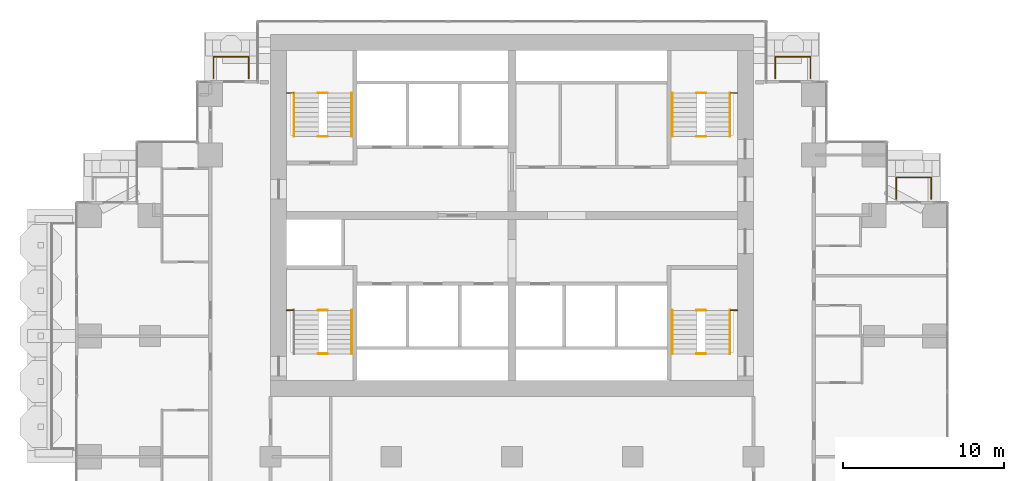
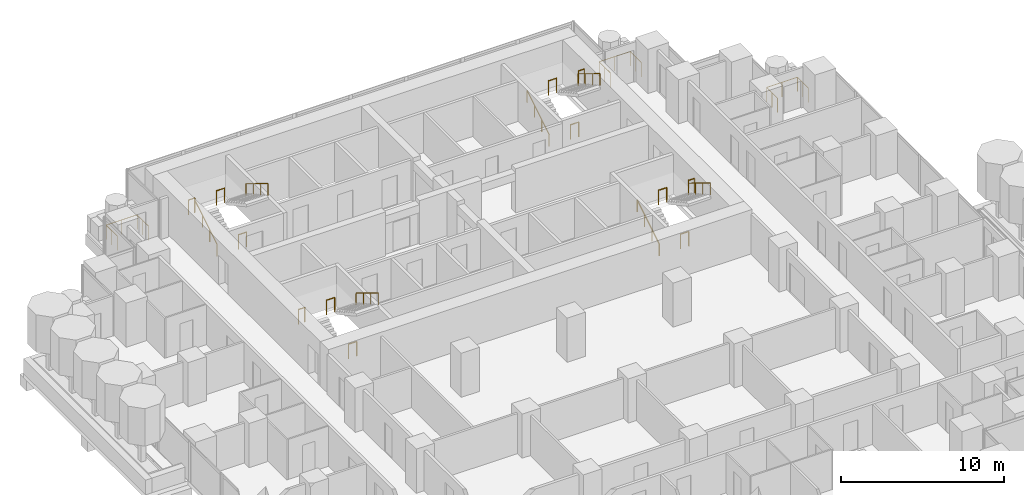
# One storey, part 17 of 18: 22 railings.
"""IFC4 building model written with IfcOpenShell, lengths in metres."""

from ifc_helpers import new_model, si_unit, direction, frame, origin, origin_2d, place, context, subcontext, project, spatial, circle, extrude, material, type_object, element, save


model = new_model("IFC4")

# Units and contexts
model_context = context("Model", 3, precision=1e-05, world=origin(), true_north=direction((0.0, 1.0)))
body_context = subcontext(model_context, "Body", "Model", "MODEL_VIEW")
ifc_project = project(units=[si_unit("LENGTHUNIT", "METRE"), si_unit("AREAUNIT", "SQUARE_METRE"), si_unit("VOLUMEUNIT", "CUBIC_METRE"), si_unit("PLANEANGLEUNIT", "RADIAN"), si_unit("MASSUNIT", "GRAM", prefix="KILO")], contexts=[model_context])

# Site, building, storey
site_placement = place(None, origin())
site = spatial("IfcSite", under=ifc_project, at=site_placement, CompositionType="ELEMENT")
building_placement = place(site_placement, origin())
building = spatial("IfcBuilding", under=site, at=building_placement, Name="Pilkhan Gate Tower", CompositionType="ELEMENT")
storey_placement = place(building_placement, frame((0.0, 0.0, 56.0)))
storey = spatial("IfcBuildingStorey", under=building, at=storey_placement, Name="L11", CompositionType="ELEMENT", Elevation=56.0)

# Railings
ifc_material_1 = material(Name="Pale anodised aluminium posts, laminated glass infill", Category="aluminium")
railing_type_1 = type_object("IfcRailingType", Name="Balcony guard G1", PredefinedType="BALUSTRADE", material=ifc_material_1)
for number, where, name in (
    (1, (56.449951171875, 91.0, 0.0), "Balcony guard L11 N"),
    (2, (91.35009765625, 91.0, 0.0), "Balcony guard L11 N"),
):
    element("IfcRailing", number, at=place(storey_placement, frame(where)), inside=storey, type_object=railing_type_1, Name=name, PredefinedType="BALUSTRADE", context=body_context, shape_type="SweptSolid", body=[
        extrude(circle(Radius=0.02392578125, at=origin_2d()), frame((0.0, 0.0, 1.076171875), z_axis=(0.0, 1.0, 0.0), x_axis=(-1.0, 0.0, 0.0)), (0.0, 0.0, 1.0), 1.35009765625),
        extrude(circle(Radius=0.02392578125, at=origin_2d()), frame((0.0, 1.35009765625, 1.076171875), z_axis=(1.0, 0.0, 0.0), x_axis=(0.0, 1.0, 0.0)), (0.0, 0.0, 1.0), 2.199951171875),
        extrude(circle(Radius=0.02392578125, at=origin_2d()), frame((2.199951171875, 1.35009765625, 1.076171875), z_axis=(0.0, -1.0, 0.0), x_axis=(1.0, 0.0, 0.0)), (0.0, 0.0, 1.0), 1.35009765625),
        extrude(circle(Radius=0.02099609375, at=origin_2d()), origin(), (0.0, 0.0, 1.0), 1.052001953125),
        extrude(circle(Radius=0.02099609375, at=origin_2d()), frame((0.0, 0.675048828125, 0.0)), (0.0, 0.0, 1.0), 1.052001953125),
        extrude(circle(Radius=0.02099609375, at=origin_2d()), frame((0.0, 1.35009765625, 0.0)), (0.0, 0.0, 1.0), 1.052001953125),
        extrude(circle(Radius=0.02099609375, at=origin_2d()), frame((1.10009765625, 1.35009765625, 0.0)), (0.0, 0.0, 1.0), 1.052001953125),
        extrude(circle(Radius=0.02099609375, at=origin_2d()), frame((2.199951171875, 1.35009765625, 0.0)), (0.0, 0.0, 1.0), 1.052001953125),
        extrude(circle(Radius=0.02099609375, at=origin_2d()), frame((2.199951171875, 0.675048828125, 0.0)), (0.0, 0.0, 1.0), 1.052001953125),
        extrude(circle(Radius=0.02099609375, at=origin_2d()), frame((2.199951171875, 0.0, 0.0)), (0.0, 0.0, 1.0), 1.052001953125),
    ])
railing_1_placement = place(storey_placement, frame((98.8701171875, 83.52001953125, 0.0)))
element("IfcRailing", 3, at=railing_1_placement, inside=storey, type_object=railing_type_1, Name="Balcony guard L11 N", PredefinedType="BALUSTRADE", context=body_context, shape_type="SweptSolid", body=[
    extrude(circle(Radius=0.02392578125, at=origin_2d()), frame((0.0, 0.0, 1.076171875), z_axis=(0.0, 1.0, 0.0), x_axis=(-1.0, 0.0, 0.0)), (0.0, 0.0, 1.0), 1.330078125),
    extrude(circle(Radius=0.02392578125, at=origin_2d()), frame((0.0, 1.330078125, 1.076171875), z_axis=(1.0, 0.0, 0.0), x_axis=(0.0, 1.0, 0.0)), (0.0, 0.0, 1.0), 2.179931640625),
    extrude(circle(Radius=0.02392578125, at=origin_2d()), frame((2.179931640625, 1.330078125, 1.076171875), z_axis=(0.0, -1.0, 0.0), x_axis=(1.0, 0.0, 0.0)), (0.0, 0.0, 1.0), 1.330078125),
    extrude(circle(Radius=0.02099609375, at=origin_2d()), origin(), (0.0, 0.0, 1.0), 1.052001953125),
    extrude(circle(Radius=0.02099609375, at=origin_2d()), frame((0.0, 0.6650390625, 0.0)), (0.0, 0.0, 1.0), 1.052001953125),
    extrude(circle(Radius=0.02099609375, at=origin_2d()), frame((0.0, 1.330078125, 0.0)), (0.0, 0.0, 1.0), 1.052001953125),
    extrude(circle(Radius=0.02099609375, at=origin_2d()), frame((1.08984375, 1.330078125, 0.0)), (0.0, 0.0, 1.0), 1.052001953125),
    extrude(circle(Radius=0.02099609375, at=origin_2d()), frame((2.179931640625, 1.330078125, 0.0)), (0.0, 0.0, 1.0), 1.052001953125),
    extrude(circle(Radius=0.02099609375, at=origin_2d()), frame((2.179931640625, 0.6650390625, 0.0)), (0.0, 0.0, 1.0), 1.052001953125),
    extrude(circle(Radius=0.02099609375, at=origin_2d()), frame((2.179931640625, 0.0, 0.0)), (0.0, 0.0, 1.0), 1.052001953125),
])
ifc_material_2 = material(Name="Black powder-coated steel tube", Category="steel")
railing_type_2 = type_object("IfcRailingType", Name="Stair handrail HR1", PredefinedType="HANDRAIL", material=ifc_material_2)
railing_2_placement = place(storey_placement, frame((84.949951171875, 73.89990234375, 0.0)))
element("IfcRailing", 4, at=railing_2_placement, inside=storey, type_object=railing_type_2, Name="Stair ST1 handrail L11", PredefinedType="HANDRAIL", context=body_context, shape_type="SweptSolid", body=[
    extrude(circle(Radius=0.02392578125, at=origin_2d()), frame((0.0, 0.0, 0.8759765625), z_axis=(0.0, 0.853312346642, 0.521400075823), x_axis=(-1.0, 0.0, 0.0)), (0.0, 0.0, 1.0), 3.164306640625),
    extrude(circle(Radius=0.02099609375, at=origin_2d()), origin(), (0.0, 0.0, 1.0), 0.851806640625),
    extrude(circle(Radius=0.02099609375, at=origin_2d()), frame((0.0, 0.900146484375, 0.550048828125)), (0.0, 0.0, 1.0), 0.851806640625),
    extrude(circle(Radius=0.02099609375, at=origin_2d()), frame((0.0, 1.800048828125, 1.099853515625)), (0.0, 0.0, 1.0), 0.851806640625),
    extrude(circle(Radius=0.02099609375, at=origin_2d()), frame((0.0, 2.7001953125, 1.64990234375)), (0.0, 0.0, 1.0), 0.851806640625),
])
for number, where, name in (
    (5, (88.550048828125, 76.60009765625, 1.64990234375), "Stair ST1 handrail L11"),
    (6, (65.050048828125, 76.60009765625, 1.64990234375), "Stair ST2 handrail L11"),
):
    element("IfcRailing", number, at=place(storey_placement, frame(where)), inside=storey, type_object=railing_type_2, Name=name, PredefinedType="HANDRAIL", context=body_context, shape_type="SweptSolid", body=[
        extrude(circle(Radius=0.02392578125, at=origin_2d()), frame((0.0, 0.0, 0.8759765625), z_axis=(0.0, -0.853278019476, 0.521456250781), x_axis=(1.0, 0.0, 0.0)), (0.0, 0.0, 1.0), 3.16455078125),
        extrude(circle(Radius=0.02099609375, at=origin_2d()), origin(), (0.0, 0.0, 1.0), 0.851806640625),
        extrude(circle(Radius=0.02099609375, at=origin_2d()), frame((0.0, -0.900146484375, 0.550048828125)), (0.0, 0.0, 1.0), 0.851806640625),
        extrude(circle(Radius=0.02099609375, at=origin_2d()), frame((0.0, -1.800048828125, 1.10009765625)), (0.0, 0.0, 1.0), 0.851806640625),
        extrude(circle(Radius=0.02099609375, at=origin_2d()), frame((0.0, -2.7001953125, 1.650146484375)), (0.0, 0.0, 1.0), 0.851806640625),
    ])
railing_3_placement = place(storey_placement, frame((61.449951171875, 87.39990234375, 0.0)))
element("IfcRailing", 7, at=railing_3_placement, inside=storey, type_object=railing_type_2, Name="Stair ST3 handrail L11", PredefinedType="HANDRAIL", context=body_context, shape_type="SweptSolid", body=[
    extrude(circle(Radius=0.02392578125, at=origin_2d()), frame((0.0, 0.0, 0.8759765625), z_axis=(0.0, 0.853312346642, 0.521400075823), x_axis=(-1.0, 0.0, 0.0)), (0.0, 0.0, 1.0), 3.164306640625),
    extrude(circle(Radius=0.02099609375, at=origin_2d()), origin(), (0.0, 0.0, 1.0), 0.851806640625),
    extrude(circle(Radius=0.02099609375, at=origin_2d()), frame((0.0, 0.900146484375, 0.550048828125)), (0.0, 0.0, 1.0), 0.851806640625),
    extrude(circle(Radius=0.02099609375, at=origin_2d()), frame((0.0, 1.800048828125, 1.099853515625)), (0.0, 0.0, 1.0), 0.851806640625),
    extrude(circle(Radius=0.02099609375, at=origin_2d()), frame((0.0, 2.7001953125, 1.64990234375)), (0.0, 0.0, 1.0), 0.851806640625),
])
railing_4_placement = place(storey_placement, frame((65.050048828125, 90.10009765625, 1.64990234375)))
element("IfcRailing", 8, at=railing_4_placement, inside=storey, type_object=railing_type_2, Name="Stair ST3 handrail L11", PredefinedType="HANDRAIL", context=body_context, shape_type="SweptSolid", body=[
    extrude(circle(Radius=0.02392578125, at=origin_2d()), frame((0.0, 0.0, 0.8759765625), z_axis=(0.0, -0.853278019476, 0.521456250781), x_axis=(1.0, 0.0, 0.0)), (0.0, 0.0, 1.0), 3.16455078125),
    extrude(circle(Radius=0.02099609375, at=origin_2d()), origin(), (0.0, 0.0, 1.0), 0.851806640625),
    extrude(circle(Radius=0.02099609375, at=origin_2d()), frame((0.0, -0.900146484375, 0.550048828125)), (0.0, 0.0, 1.0), 0.851806640625),
    extrude(circle(Radius=0.02099609375, at=origin_2d()), frame((0.0, -1.800048828125, 1.10009765625)), (0.0, 0.0, 1.0), 0.851806640625),
    extrude(circle(Radius=0.02099609375, at=origin_2d()), frame((0.0, -2.7001953125, 1.650146484375)), (0.0, 0.0, 1.0), 0.851806640625),
])
railing_5_placement = place(storey_placement, frame((84.949951171875, 87.39990234375, 0.0)))
element("IfcRailing", 9, at=railing_5_placement, inside=storey, type_object=railing_type_2, Name="Stair ST4 handrail L11", PredefinedType="HANDRAIL", context=body_context, shape_type="SweptSolid", body=[
    extrude(circle(Radius=0.02392578125, at=origin_2d()), frame((0.0, 0.0, 0.8759765625), z_axis=(0.0, 0.853312346642, 0.521400075823), x_axis=(-1.0, 0.0, 0.0)), (0.0, 0.0, 1.0), 3.164306640625),
    extrude(circle(Radius=0.02099609375, at=origin_2d()), origin(), (0.0, 0.0, 1.0), 0.851806640625),
    extrude(circle(Radius=0.02099609375, at=origin_2d()), frame((0.0, 0.900146484375, 0.550048828125)), (0.0, 0.0, 1.0), 0.851806640625),
    extrude(circle(Radius=0.02099609375, at=origin_2d()), frame((0.0, 1.800048828125, 1.099853515625)), (0.0, 0.0, 1.0), 0.851806640625),
    extrude(circle(Radius=0.02099609375, at=origin_2d()), frame((0.0, 2.7001953125, 1.64990234375)), (0.0, 0.0, 1.0), 0.851806640625),
])
railing_6_placement = place(storey_placement, frame((88.550048828125, 90.10009765625, 1.64990234375)))
element("IfcRailing", 10, at=railing_6_placement, inside=storey, type_object=railing_type_2, Name="Stair ST4 handrail L11", PredefinedType="HANDRAIL", context=body_context, shape_type="SweptSolid", body=[
    extrude(circle(Radius=0.02392578125, at=origin_2d()), frame((0.0, 0.0, 0.8759765625), z_axis=(0.0, -0.853278019476, 0.521456250781), x_axis=(1.0, 0.0, 0.0)), (0.0, 0.0, 1.0), 3.16455078125),
    extrude(circle(Radius=0.02099609375, at=origin_2d()), origin(), (0.0, 0.0, 1.0), 0.851806640625),
    extrude(circle(Radius=0.02099609375, at=origin_2d()), frame((0.0, -0.900146484375, 0.550048828125)), (0.0, 0.0, 1.0), 0.851806640625),
    extrude(circle(Radius=0.02099609375, at=origin_2d()), frame((0.0, -1.800048828125, 1.10009765625)), (0.0, 0.0, 1.0), 0.851806640625),
    extrude(circle(Radius=0.02099609375, at=origin_2d()), frame((0.0, -2.7001953125, 1.650146484375)), (0.0, 0.0, 1.0), 0.851806640625),
])
ifc_material_3 = material(Name="Black powder-coated steel balusters", Category="steel")
railing_type_3 = type_object("IfcRailingType", Name="Stair well guard G3", PredefinedType="GUARDRAIL", material=ifc_material_3)
railing_7_placement = place(storey_placement, frame((88.580078125, 76.60009765625, 1.64990234375)))
element("IfcRailing", 11, at=railing_7_placement, inside=storey, type_object=railing_type_3, Name="Stair ST1 well guard L11", PredefinedType="GUARDRAIL", context=body_context, shape_type="SweptSolid", body=[
    extrude(circle(Radius=0.02392578125, at=origin_2d()), frame((0.0, 0.0, 1.076171875), z_axis=(1.0, 0.0, 0.0), x_axis=(0.0, 1.0, 0.0)), (0.0, 0.0, 1.0), 0.43994140625),
    extrude(circle(Radius=0.02099609375, at=origin_2d()), origin(), (0.0, 0.0, 1.0), 1.052001953125),
    extrude(circle(Radius=0.02099609375, at=origin_2d()), frame((0.43994140625, 0.0, 0.0)), (0.0, 0.0, 1.0), 1.052001953125),
])
for number, where, name in (
    (12, (86.4599609375, 73.89990234375, 0.0), "Stair ST1 well guard L11"),
    (13, (86.4599609375, 76.60009765625, 1.64990234375), "Stair ST1 well guard L11"),
):
    element("IfcRailing", number, at=place(storey_placement, frame(where)), inside=storey, type_object=railing_type_3, Name=name, PredefinedType="GUARDRAIL", context=body_context, shape_type="SweptSolid", body=[
        extrude(circle(Radius=0.02392578125, at=origin_2d()), frame((0.0, 0.0, 1.076171875), z_axis=(1.0, 0.0, 0.0), x_axis=(0.0, 1.0, 0.0)), (0.0, 0.0, 1.0), 0.580078125),
        extrude(circle(Radius=0.02099609375, at=origin_2d()), origin(), (0.0, 0.0, 1.0), 1.052001953125),
        extrude(circle(Radius=0.02099609375, at=origin_2d()), frame((0.580078125, 0.0, 0.0)), (0.0, 0.0, 1.0), 1.052001953125),
    ])
railing_8_placement = place(storey_placement, frame((60.97998046875, 76.60009765625, 1.64990234375)))
element("IfcRailing", 14, at=railing_8_placement, inside=storey, type_object=railing_type_3, Name="Stair ST2 well guard L11", PredefinedType="GUARDRAIL", context=body_context, shape_type="SweptSolid", body=[
    extrude(circle(Radius=0.02392578125, at=origin_2d()), frame((0.0, 0.0, 1.076171875), z_axis=(1.0, 0.0, 0.0), x_axis=(0.0, 1.0, 0.0)), (0.0, 0.0, 1.0), 0.43994140625),
    extrude(circle(Radius=0.02099609375, at=origin_2d()), origin(), (0.0, 0.0, 1.0), 1.052001953125),
    extrude(circle(Radius=0.02099609375, at=origin_2d()), frame((0.43994140625, 0.0, 0.0)), (0.0, 0.0, 1.0), 1.052001953125),
])
for number, where, name in (
    (15, (62.9599609375, 73.89990234375, 0.0), "Stair ST2 well guard L11"),
    (16, (62.9599609375, 76.60009765625, 1.64990234375), "Stair ST2 well guard L11"),
):
    element("IfcRailing", number, at=place(storey_placement, frame(where)), inside=storey, type_object=railing_type_3, Name=name, PredefinedType="GUARDRAIL", context=body_context, shape_type="SweptSolid", body=[
        extrude(circle(Radius=0.02392578125, at=origin_2d()), frame((0.0, 0.0, 1.076171875), z_axis=(1.0, 0.0, 0.0), x_axis=(0.0, 1.0, 0.0)), (0.0, 0.0, 1.0), 0.580078125),
        extrude(circle(Radius=0.02099609375, at=origin_2d()), origin(), (0.0, 0.0, 1.0), 1.052001953125),
        extrude(circle(Radius=0.02099609375, at=origin_2d()), frame((0.580078125, 0.0, 0.0)), (0.0, 0.0, 1.0), 1.052001953125),
    ])
railing_9_placement = place(storey_placement, frame((60.97998046875, 90.10009765625, 1.64990234375)))
element("IfcRailing", 17, at=railing_9_placement, inside=storey, type_object=railing_type_3, Name="Stair ST3 well guard L11", PredefinedType="GUARDRAIL", context=body_context, shape_type="SweptSolid", body=[
    extrude(circle(Radius=0.02392578125, at=origin_2d()), frame((0.0, 0.0, 1.076171875), z_axis=(1.0, 0.0, 0.0), x_axis=(0.0, 1.0, 0.0)), (0.0, 0.0, 1.0), 0.43994140625),
    extrude(circle(Radius=0.02099609375, at=origin_2d()), origin(), (0.0, 0.0, 1.0), 1.052001953125),
    extrude(circle(Radius=0.02099609375, at=origin_2d()), frame((0.43994140625, 0.0, 0.0)), (0.0, 0.0, 1.0), 1.052001953125),
])
for number, where, name in (
    (18, (62.9599609375, 87.39990234375, 0.0), "Stair ST3 well guard L11"),
    (19, (62.9599609375, 90.10009765625, 1.64990234375), "Stair ST3 well guard L11"),
):
    element("IfcRailing", number, at=place(storey_placement, frame(where)), inside=storey, type_object=railing_type_3, Name=name, PredefinedType="GUARDRAIL", context=body_context, shape_type="SweptSolid", body=[
        extrude(circle(Radius=0.02392578125, at=origin_2d()), frame((0.0, 0.0, 1.076171875), z_axis=(1.0, 0.0, 0.0), x_axis=(0.0, 1.0, 0.0)), (0.0, 0.0, 1.0), 0.580078125),
        extrude(circle(Radius=0.02099609375, at=origin_2d()), origin(), (0.0, 0.0, 1.0), 1.052001953125),
        extrude(circle(Radius=0.02099609375, at=origin_2d()), frame((0.580078125, 0.0, 0.0)), (0.0, 0.0, 1.0), 1.052001953125),
    ])
railing_10_placement = place(storey_placement, frame((88.580078125, 90.10009765625, 1.64990234375)))
element("IfcRailing", 20, at=railing_10_placement, inside=storey, type_object=railing_type_3, Name="Stair ST4 well guard L11", PredefinedType="GUARDRAIL", context=body_context, shape_type="SweptSolid", body=[
    extrude(circle(Radius=0.02392578125, at=origin_2d()), frame((0.0, 0.0, 1.076171875), z_axis=(1.0, 0.0, 0.0), x_axis=(0.0, 1.0, 0.0)), (0.0, 0.0, 1.0), 0.43994140625),
    extrude(circle(Radius=0.02099609375, at=origin_2d()), origin(), (0.0, 0.0, 1.0), 1.052001953125),
    extrude(circle(Radius=0.02099609375, at=origin_2d()), frame((0.43994140625, 0.0, 0.0)), (0.0, 0.0, 1.0), 1.052001953125),
])
for number, where, name in (
    (21, (86.4599609375, 87.39990234375, 0.0), "Stair ST4 well guard L11"),
    (22, (86.4599609375, 90.10009765625, 1.64990234375), "Stair ST4 well guard L11"),
):
    element("IfcRailing", number, at=place(storey_placement, frame(where)), inside=storey, type_object=railing_type_3, Name=name, PredefinedType="GUARDRAIL", context=body_context, shape_type="SweptSolid", body=[
        extrude(circle(Radius=0.02392578125, at=origin_2d()), frame((0.0, 0.0, 1.076171875), z_axis=(1.0, 0.0, 0.0), x_axis=(0.0, 1.0, 0.0)), (0.0, 0.0, 1.0), 0.580078125),
        extrude(circle(Radius=0.02099609375, at=origin_2d()), origin(), (0.0, 0.0, 1.0), 1.052001953125),
        extrude(circle(Radius=0.02099609375, at=origin_2d()), frame((0.580078125, 0.0, 0.0)), (0.0, 0.0, 1.0), 1.052001953125),
    ])

save(model, "model.ifc")
